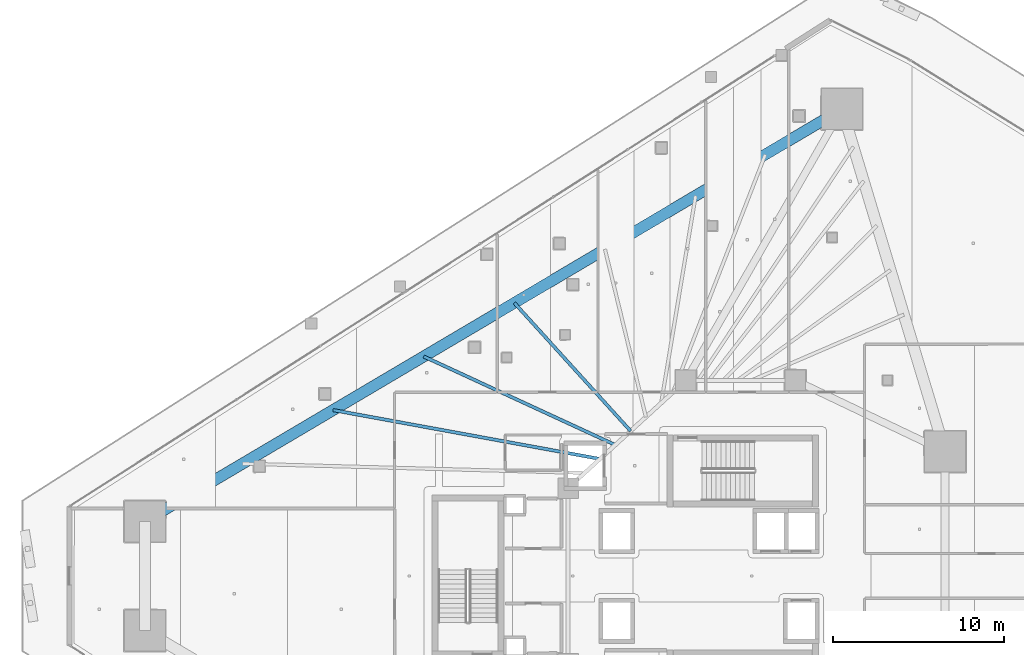
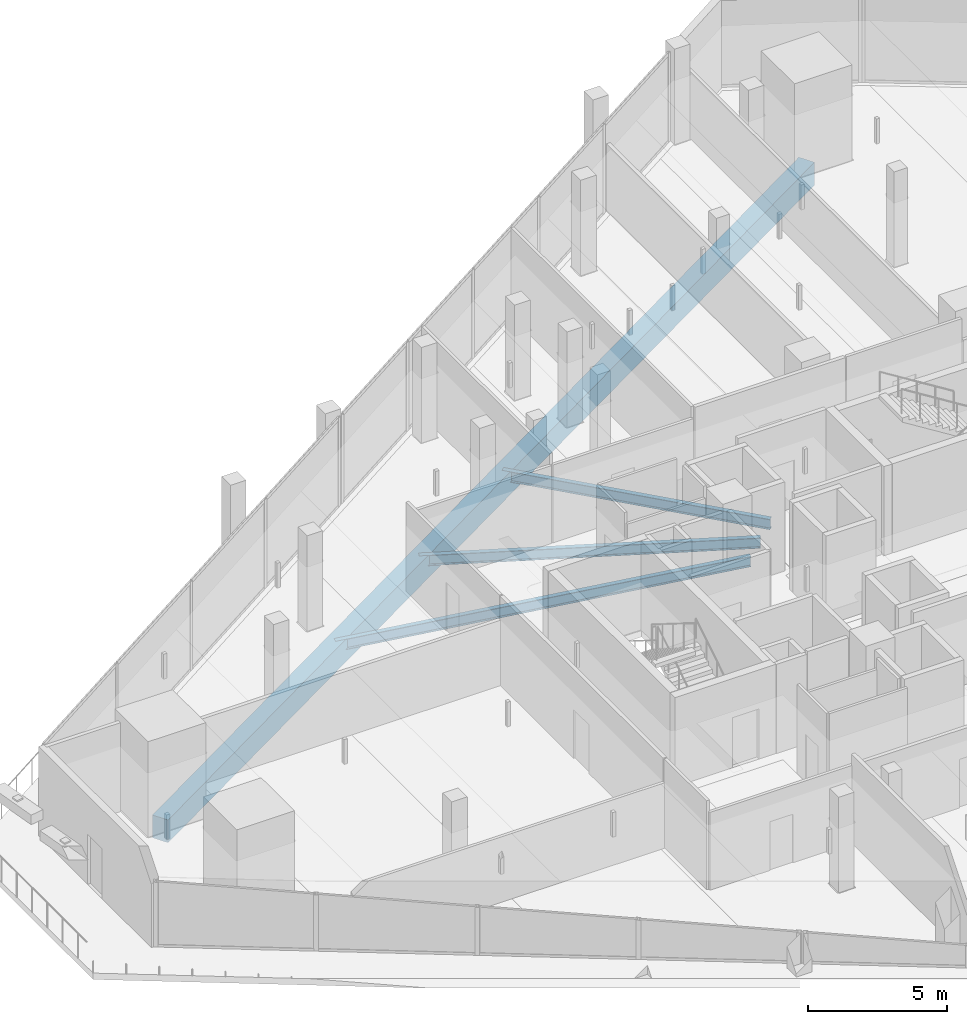
# One storey, part 17 of 45: 4 beams.
"""IFC4 building model written with IfcOpenShell, lengths in metres."""

from ifc_helpers import new_model, si_unit, direction, frame, origin, origin_2d, place, context, subcontext, project, spatial, rectangle, i_section, extrude, material, material_profile, profile_set, type_object, element, save


model = new_model("IFC4")

# Units and contexts
model_context = context("Model", 3, precision=1e-05, world=origin(), true_north=direction((0.0, 1.0)))
body_context = subcontext(model_context, "Body", "Model", "MODEL_VIEW")
ifc_project = project(units=[si_unit("LENGTHUNIT", "METRE"), si_unit("AREAUNIT", "SQUARE_METRE"), si_unit("VOLUMEUNIT", "CUBIC_METRE"), si_unit("PLANEANGLEUNIT", "RADIAN"), si_unit("MASSUNIT", "GRAM", prefix="KILO")], contexts=[model_context])

# Site, building, storey
site_placement = place(None, origin())
site = spatial("IfcSite", under=ifc_project, at=site_placement, CompositionType="ELEMENT")
building_placement = place(site_placement, origin())
building = spatial("IfcBuilding", under=site, at=building_placement, Name="Qorvath Tower", CompositionType="ELEMENT")
storey_placement = place(building_placement, frame((0.0, 0.0, 66.0)))
storey = spatial("IfcBuildingStorey", under=building, at=storey_placement, Name="L14", CompositionType="ELEMENT", Elevation=66.0)

# Beams
ifc_material_1 = material(Name="Steel ASTM A992 Grade 50", Category="steel")
ifc_material_profile_1 = material_profile(ifc_material_1, i_section(OverallWidth=0.18994140625, OverallDepth=0.45703125, WebThickness=0.009033203125, FlangeThickness=0.014404296875, FilletRadius=0.011962890625, at=origin_2d()), Name="W18x50")
ifc_profile_set_1 = profile_set([ifc_material_profile_1], Name="Steel ASTM A992 Grade 50")
beam_type_1 = type_object("IfcBeamType", Name="BM-FJ2", PredefinedType="JOIST", material=ifc_profile_set_1)
beam_1_placement = place(storey_placement, frame((-28.636962890625, 6.85107421875, -0.508544921875), z_axis=(-0.983656498786, 0.180055248176, 0.0), x_axis=(-0.180055248176, -0.983656498786, 0.0)))
element("IfcBeam", 1, at=beam_1_placement, inside=storey, type_object=beam_type_1, Name="Composite Floor Joist NW2 L14", PredefinedType="JOIST", context=body_context, shape_type="SweptSolid", body=[
    extrude(i_section(OverallWidth=0.18994140625, OverallDepth=0.45703125, WebThickness=0.009033203125, FlangeThickness=0.014404296875, FilletRadius=0.011962890625, at=origin_2d()), origin(), (0.0, 0.0, 1.0), 15.884521484375),
])
beam_2_placement = place(storey_placement, frame((-27.739990234375, 7.669921875, -0.508544921875), z_axis=(-0.907881281747, 0.419227358665, 0.0), x_axis=(-0.419227358665, -0.907881281747, 0.0)))
element("IfcBeam", 2, at=beam_2_placement, inside=storey, type_object=beam_type_1, Name="Composite Floor Joist NW3 L14", PredefinedType="JOIST", context=body_context, shape_type="SweptSolid", body=[
    extrude(i_section(OverallWidth=0.18994140625, OverallDepth=0.45703125, WebThickness=0.009033203125, FlangeThickness=0.014404296875, FilletRadius=0.011962890625, at=origin_2d()), origin(), (0.0, 0.0, 1.0), 12.353515625),
])
beam_3_placement = place(storey_placement, frame((-26.843017578125, 8.489013671875, -0.508544921875), z_axis=(-0.672128980215, 0.740434084815, 0.0), x_axis=(-0.740434084815, -0.672128980215, 0.0)))
element("IfcBeam", 3, at=beam_3_placement, inside=storey, type_object=beam_type_1, Name="Composite Floor Joist NW4 L14", PredefinedType="JOIST", context=body_context, shape_type="SweptSolid", body=[
    extrude(i_section(OverallWidth=0.18994140625, OverallDepth=0.45703125, WebThickness=0.009033203125, FlangeThickness=0.014404296875, FilletRadius=0.011962890625, at=origin_2d()), origin(), (0.0, 0.0, 1.0), 10.1259765625),
])
ifc_material_2 = material(Name="Concrete C50/60", Category="concrete")
ifc_material_profile_2 = material_profile(ifc_material_2, rectangle(XDim=0.64990234375, YDim=1.0, at=origin_2d()), Name="RCB 1000x650")
ifc_profile_set_2 = profile_set([ifc_material_profile_2], Name="Concrete C50/60")
beam_type_2 = type_object("IfcBeamType", Name="BM-RCB1", PredefinedType="SPANDREL", material=ifc_profile_set_2)
beam_4_placement = place(storey_placement, frame((-14.46435546875, 27.330810546875, -0.780029296875), z_axis=(-0.860777360917, -0.508981664633, 0.0), x_axis=(0.508981664633, -0.860777360917, 0.0)))
element("IfcBeam", 4, at=beam_4_placement, inside=storey, type_object=beam_type_2, Name="Perimeter Loggia Frame Beam MC6-MC1 L14", PredefinedType="SPANDREL", context=body_context, shape_type="SweptSolid", body=[
    extrude(rectangle(XDim=0.64990234375, YDim=1.0, at=origin_2d()), origin(), (0.0, 0.0, 1.0), 47.420654296875),
])

save(model, "model.ifc")
